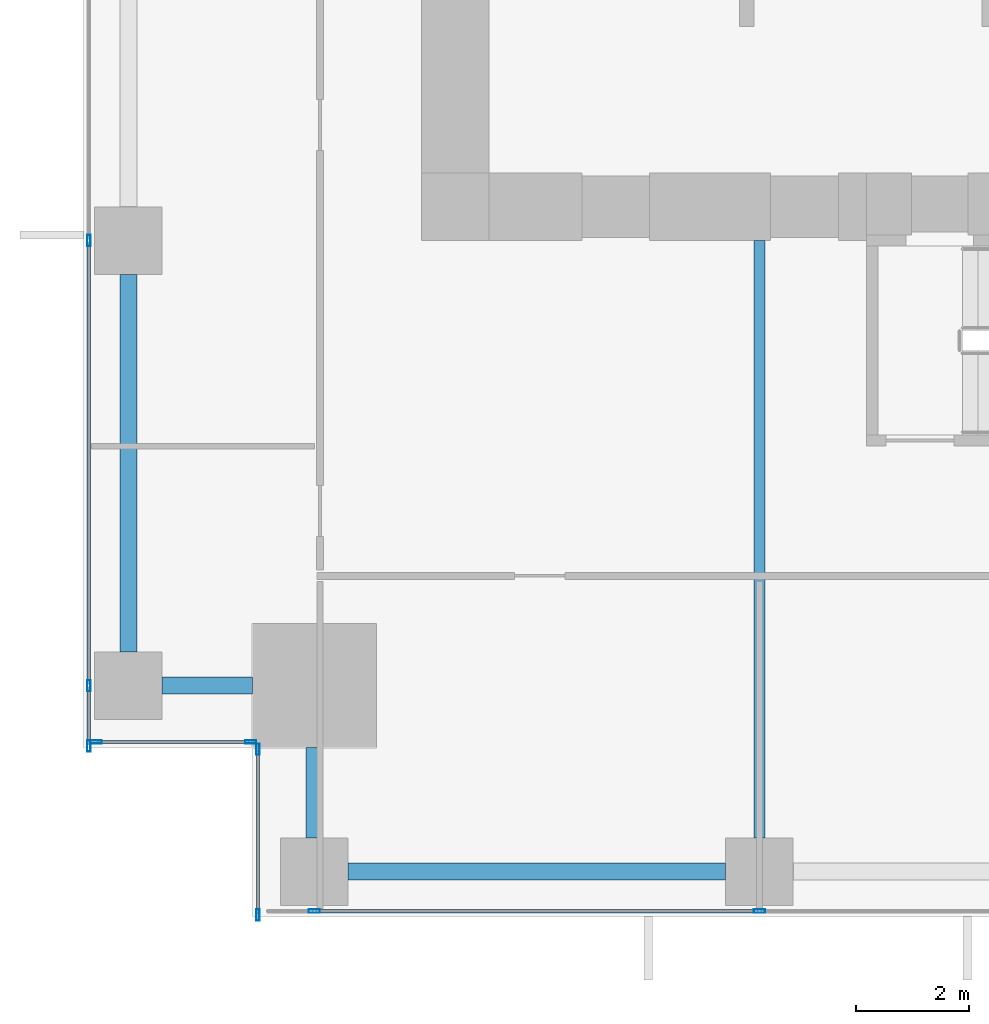
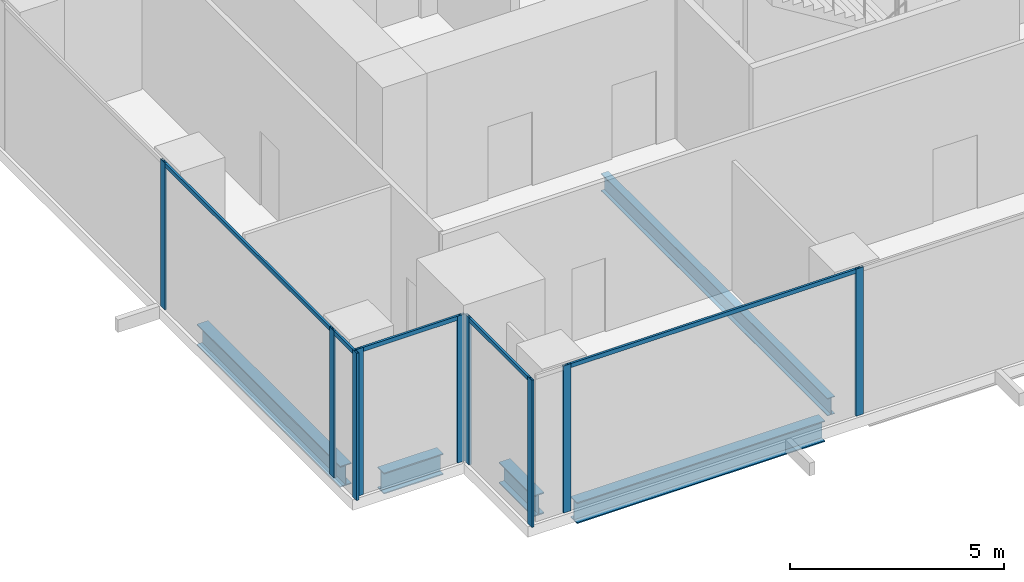
# One storey, part 2 of 32: 14 members, 5 beams, 4 elements without a shape of their own.
"""IFC4 building model written with IfcOpenShell, lengths in metres."""

from ifc_helpers import new_model, si_unit, direction, frame, origin, origin_2d, place, context, subcontext, project, spatial, hollow_rectangle, i_section, extrude, source, transform, mapped, material, material_profile, profile_set, type_object, element, aggregate, save


model = new_model("IFC4")

# Units and contexts
model_context = context("Model", 3, precision=1e-05, world=origin(), true_north=direction((0.0, 1.0)))
body_context = subcontext(model_context, "Body", "Model", "MODEL_VIEW")
ifc_project = project(units=[si_unit("LENGTHUNIT", "METRE"), si_unit("AREAUNIT", "SQUARE_METRE"), si_unit("VOLUMEUNIT", "CUBIC_METRE"), si_unit("PLANEANGLEUNIT", "RADIAN"), si_unit("MASSUNIT", "GRAM", prefix="KILO")], contexts=[model_context])

# Site, building, storey
site_placement = place(None, origin())
site = spatial("IfcSite", under=ifc_project, at=site_placement, CompositionType="ELEMENT")
building_placement = place(site_placement, origin())
building = spatial("IfcBuilding", under=site, at=building_placement, Name="Khomas Fold Tower", CompositionType="ELEMENT")
storey_placement = place(building_placement, frame((0.0, 0.0, 37.5)))
storey = spatial("IfcBuildingStorey", under=building, at=storey_placement, Name="L07", CompositionType="ELEMENT", Elevation=37.5)

# Beams
ifc_material_1 = material(Name="Steel S355", Category="steel")
ifc_material_profile_1 = material_profile(ifc_material_1, i_section(OverallWidth=0.199951171875, OverallDepth=0.5, WebThickness=0.01025390625, FlangeThickness=0.01611328125, at=origin_2d()), Name="IPE 500")
ifc_profile_set_1 = profile_set([ifc_material_profile_1], Name="Steel S355")
beam_type_1 = type_object("IfcBeamType", Name="IPE 500 beam JB5", PredefinedType="BEAM", material=ifc_profile_set_1)
shared_shape_1 = source(origin(), body_context, "Body", "SweptSolid", [
    extrude(i_section(OverallWidth=0.199951171875, OverallDepth=0.5, WebThickness=0.01025390625, FlangeThickness=0.01611328125, at=origin_2d()), origin(), (0.0, 0.0, 1.0), 10.60009765625),
])
beam_placement = place(storey_placement, frame((12.0, 1.39990234375, -0.550048828125), z_axis=(0.0, 1.0, 0.0), x_axis=(-1.0, 0.0, 0.0)))
element("IfcBeam", 1, at=beam_placement, inside=storey, type_object=beam_type_1, Name="JB5", PredefinedType="BEAM", context=body_context, shape_type="MappedRepresentation", body=[
    mapped(shared_shape_1, transform((0.0, 0.0, 0.0))),
])
ifc_material_2 = material(Name="Steel S355", Category="steel")
ifc_material_profile_2 = material_profile(ifc_material_2, i_section(OverallWidth=0.300048828125, OverallDepth=0.60009765625, WebThickness=0.015380859375, FlangeThickness=0.030029296875, at=origin_2d()), Name="HE 600 B")
ifc_profile_set_2 = profile_set([ifc_material_profile_2], Name="Steel S355")
beam_type_2 = type_object("IfcBeamType", Name="HE 600 B spandrel SB1", PredefinedType="SPANDREL", material=ifc_profile_set_2)
shared_shape_2 = source(origin(), body_context, "Body", "SweptSolid", [
    extrude(i_section(OverallWidth=0.300048828125, OverallDepth=0.60009765625, WebThickness=0.015380859375, FlangeThickness=0.030029296875, at=origin_2d()), origin(), (0.0, 0.0, 1.0), 6.699951171875),
])
for number, where, z_axis, x_axis, name in (
    (2, (4.699951171875, 0.800048828125, -0.60009765625), (1.0, 0.0, 0.0), (0.0, 1.0, 0.0), "SB1"),
    (3, (0.800048828125, 4.699951171875, -0.60009765625), (0.0, 1.0, 0.0), (-1.0, 0.0, 0.0), "SB1"),
):
    element("IfcBeam", number, at=place(storey_placement, frame(where, z_axis=z_axis, x_axis=x_axis)), inside=storey, type_object=beam_type_2, Name=name, PredefinedType="SPANDREL", context=body_context, shape_type="MappedRepresentation", body=[
        mapped(shared_shape_2, transform((0.0, 0.0, 0.0))),
    ])
shared_shape_3 = source(origin(), body_context, "Body", "SweptSolid", [
    extrude(i_section(OverallWidth=0.300048828125, OverallDepth=0.60009765625, WebThickness=0.015380859375, FlangeThickness=0.030029296875, at=origin_2d()), origin(), (0.0, 0.0, 1.0), 1.60009765625),
])
for number, where, z_axis, x_axis, name in (
    (4, (1.39990234375, 4.10009765625, -0.60009765625), (1.0, 0.0, 0.0), (0.0, 1.0, 0.0), "SB1"),
    (5, (4.10009765625, 1.39990234375, -0.60009765625), (0.0, 1.0, 0.0), (-1.0, 0.0, 0.0), "SB1"),
):
    element("IfcBeam", number, at=place(storey_placement, frame(where, z_axis=z_axis, x_axis=x_axis)), inside=storey, type_object=beam_type_2, Name=name, PredefinedType="SPANDREL", context=body_context, shape_type="MappedRepresentation", body=[
        mapped(shared_shape_3, transform((0.0, 0.0, 0.0))),
    ])

# Curtain wall, member
ifc_material_3 = material(Name="Aluminium framed double glazing", Category="aluminium")
curtain_wall_type = type_object("IfcCurtainWallType", Name="SK-Unitised clear-glass wall, growing floors CW1", PredefinedType="NOTDEFINED", material=ifc_material_3)
curtain_wall_1_placement = place(storey_placement, origin())
curtain_wall_1 = element("IfcCurtainWall", 6, at=curtain_wall_1_placement, inside=storey, type_object=curtain_wall_type, Name="CW1 run L07 00-0", PredefinedType="NOTDEFINED")
ifc_material_4 = material(Name="Aluminium", Category="aluminium")
ifc_material_profile_3 = material_profile(ifc_material_4, hollow_rectangle(XDim=0.06005859375, YDim=0.1201171875, WallThickness=0.00390625, at=origin_2d()), Name="SK-Unitised clear-glass wall, growing floors transom CW1-T")
ifc_profile_set_3 = profile_set([ifc_material_profile_3], Name="Aluminium")
member_type_1 = type_object("IfcMemberType", Name="SK-Unitised clear-glass wall, growing floors transom CW1-T", PredefinedType="USERDEFINED", material=ifc_profile_set_3)
shared_shape_4 = source(origin(), body_context, "Body", "SweptSolid", [
    extrude(hollow_rectangle(XDim=0.06005859375, YDim=0.1201171875, WallThickness=0.00390625, at=origin_2d()), origin(), (0.0, 0.0, 1.0), 7.840087890625),
])
member_1_placement = place(storey_placement, frame((4.1298828125, 0.10009765625, 4.139892578125), z_axis=(1.0, 0.0, 0.0), x_axis=(0.0, 1.0, 0.0)))
member_1 = element("IfcMember", 7, at=member_1_placement, type_object=member_type_1, Name="CW1 transom 2", ObjectType="TRANSOM", PredefinedType="USERDEFINED", context=body_context, shape_type="MappedRepresentation", body=[
    mapped(shared_shape_4, transform((0.0, 0.0, 0.0))),
])

# Curtain wall, members
curtain_wall_2_placement = place(storey_placement, origin())
curtain_wall_2 = element("IfcCurtainWall", 8, at=curtain_wall_2_placement, inside=storey, type_object=curtain_wall_type, Name="CW1 run L07 09-0", PredefinedType="NOTDEFINED")
member_2_placement = place(storey_placement, frame((0.10009765625, 11.969970703125, 4.139892578125), z_axis=(0.0, -1.0, 0.0), x_axis=(1.0, 0.0, 0.0)))
member_2 = element("IfcMember", 9, at=member_2_placement, type_object=member_type_1, Name="CW1 transom 7", ObjectType="TRANSOM", PredefinedType="USERDEFINED", context=body_context, shape_type="MappedRepresentation", body=[
    mapped(shared_shape_4, transform((0.0, 0.0, 0.0))),
])
shared_shape_5 = source(origin(), body_context, "Body", "SweptSolid", [
    extrude(hollow_rectangle(XDim=0.06005859375, YDim=0.1201171875, WallThickness=0.00390625, at=origin_2d()), origin(), (0.0, 0.0, 1.0), 1.010009765625),
])
member_3_placement = place(storey_placement, frame((0.10009765625, 4.070068359375, 4.139892578125), z_axis=(0.0, -1.0, 0.0), x_axis=(1.0, 0.0, 0.0)))
member_3 = element("IfcMember", 10, at=member_3_placement, type_object=member_type_1, Name="CW1 transom 8", ObjectType="TRANSOM", PredefinedType="USERDEFINED", context=body_context, shape_type="MappedRepresentation", body=[
    mapped(shared_shape_5, transform((0.0, 0.0, 0.0))),
])

# Curtain wall, member
curtain_wall_3_placement = place(storey_placement, origin())
curtain_wall_3 = element("IfcCurtainWall", 11, at=curtain_wall_3_placement, inside=storey, type_object=curtain_wall_type, Name="CW1 corner return L07 10", PredefinedType="NOTDEFINED")
shared_shape_6 = source(origin(), body_context, "Body", "SweptSolid", [
    extrude(hollow_rectangle(XDim=0.06005859375, YDim=0.1201171875, WallThickness=0.00390625, at=origin_2d()), origin(), (0.0, 0.0, 1.0), 2.679931640625),
])
member_4_placement = place(storey_placement, frame((0.260009765625, 3.10009765625, 4.139892578125), z_axis=(1.0, 0.0, 0.0), x_axis=(0.0, 1.0, 0.0)))
member_4 = element("IfcMember", 12, at=member_4_placement, type_object=member_type_1, Name="CW1 transom 1", ObjectType="TRANSOM", PredefinedType="USERDEFINED", context=body_context, shape_type="MappedRepresentation", body=[
    mapped(shared_shape_6, transform((0.0, 0.0, 0.0))),
])

curtain_wall_4_placement = place(storey_placement, origin())
curtain_wall_4 = element("IfcCurtainWall", 13, at=curtain_wall_4_placement, inside=storey, type_object=curtain_wall_type, Name="CW1 corner return L07 11", PredefinedType="NOTDEFINED")
shared_shape_7 = source(origin(), body_context, "Body", "SweptSolid", [
    extrude(hollow_rectangle(XDim=0.06005859375, YDim=0.1201171875, WallThickness=0.00390625, at=origin_2d()), origin(), (0.0, 0.0, 1.0), 2.8798828125),
])
member_5_placement = place(storey_placement, frame((3.10009765625, 2.93994140625, 4.139892578125), z_axis=(0.0, -1.0, 0.0), x_axis=(1.0, 0.0, 0.0)))
member_5 = element("IfcMember", 14, at=member_5_placement, type_object=member_type_1, Name="CW1 transom 1", ObjectType="TRANSOM", PredefinedType="USERDEFINED", context=body_context, shape_type="MappedRepresentation", body=[
    mapped(shared_shape_7, transform((0.0, 0.0, 0.0))),
])

# Member
ifc_material_5 = material(Name="Aluminium", Category="aluminium")
ifc_material_profile_4 = material_profile(ifc_material_5, hollow_rectangle(XDim=0.06005859375, YDim=0.199951171875, WallThickness=0.00390625, at=origin_2d()), Name="SK-Unitised clear-glass wall, growing floors mullion CW1-M")
ifc_profile_set_4 = profile_set([ifc_material_profile_4], Name="Aluminium")
member_type_2 = type_object("IfcMemberType", Name="SK-Unitised clear-glass wall, growing floors mullion CW1-M", PredefinedType="MULLION", material=ifc_profile_set_4)
shared_shape_8 = source(origin(), body_context, "Body", "SweptSolid", [
    extrude(hollow_rectangle(XDim=0.06005859375, YDim=0.199951171875, WallThickness=0.00390625, at=origin_2d()), origin(), (0.0, 0.0, 1.0), 4.199951171875),
])
member_6_placement = place(storey_placement, frame((4.10009765625, 0.10009765625, 0.0), z_axis=(0.0, 0.0, 1.0), x_axis=(0.0, 1.0, 0.0)))
member_6 = element("IfcMember", 15, at=member_6_placement, type_object=member_type_2, Name="CW1 mullion 2", PredefinedType="MULLION", context=body_context, shape_type="MappedRepresentation", body=[
    mapped(shared_shape_8, transform((0.0, 0.0, 0.0))),
])

member_7_placement = place(storey_placement, frame((12.0, 0.10009765625, 0.0), z_axis=(0.0, 0.0, 1.0), x_axis=(0.0, 1.0, 0.0)))
member_7 = element("IfcMember", 16, at=member_7_placement, type_object=member_type_2, Name="CW1 mullion 3", PredefinedType="MULLION", context=body_context, shape_type="MappedRepresentation", body=[
    mapped(shared_shape_8, transform((0.0, 0.0, 0.0))),
])

aggregate(curtain_wall_1, [member_6, member_7, member_1])

member_8_placement = place(storey_placement, frame((0.10009765625, 12.0, 0.0), z_axis=(0.0, 0.0, 1.0), x_axis=(1.0, 0.0, 0.0)))
member_8 = element("IfcMember", 17, at=member_8_placement, type_object=member_type_2, Name="CW1 mullion 7", PredefinedType="MULLION", context=body_context, shape_type="MappedRepresentation", body=[
    mapped(shared_shape_8, transform((0.0, 0.0, 0.0))),
])

member_9_placement = place(storey_placement, frame((0.10009765625, 4.10009765625, 0.0), z_axis=(0.0, 0.0, 1.0), x_axis=(1.0, 0.0, 0.0)))
member_9 = element("IfcMember", 18, at=member_9_placement, type_object=member_type_2, Name="CW1 mullion 8", PredefinedType="MULLION", context=body_context, shape_type="MappedRepresentation", body=[
    mapped(shared_shape_8, transform((0.0, 0.0, 0.0))),
])

member_10_placement = place(storey_placement, frame((0.10009765625, 3.030029296875, 0.0), z_axis=(0.0, 0.0, 1.0), x_axis=(1.0, 0.0, 0.0)))
member_10 = element("IfcMember", 19, at=member_10_placement, type_object=member_type_2, Name="CW1 mullion 9", PredefinedType="MULLION", context=body_context, shape_type="MappedRepresentation", body=[
    mapped(shared_shape_8, transform((0.0, 0.0, 0.0))),
])

aggregate(curtain_wall_2, [member_8, member_9, member_10, member_2, member_3])

member_11_placement = place(storey_placement, frame((0.22998046875, 3.10009765625, 0.0), z_axis=(0.0, 0.0, 1.0), x_axis=(0.0, 1.0, 0.0)))
member_11 = element("IfcMember", 20, at=member_11_placement, type_object=member_type_2, Name="CW1 mullion 1", PredefinedType="MULLION", context=body_context, shape_type="MappedRepresentation", body=[
    mapped(shared_shape_8, transform((0.0, 0.0, 0.0))),
])

member_12_placement = place(storey_placement, frame((2.969970703125, 3.10009765625, 0.0), z_axis=(0.0, 0.0, 1.0), x_axis=(0.0, 1.0, 0.0)))
member_12 = element("IfcMember", 21, at=member_12_placement, type_object=member_type_2, Name="CW1 mullion 2", PredefinedType="MULLION", context=body_context, shape_type="MappedRepresentation", body=[
    mapped(shared_shape_8, transform((0.0, 0.0, 0.0))),
])

aggregate(curtain_wall_3, [member_11, member_12, member_4])

member_13_placement = place(storey_placement, frame((3.10009765625, 2.969970703125, 0.0), z_axis=(0.0, 0.0, 1.0), x_axis=(1.0, 0.0, 0.0)))
member_13 = element("IfcMember", 22, at=member_13_placement, type_object=member_type_2, Name="CW1 mullion 1", PredefinedType="MULLION", context=body_context, shape_type="MappedRepresentation", body=[
    mapped(shared_shape_8, transform((0.0, 0.0, 0.0))),
])

member_14_placement = place(storey_placement, frame((3.10009765625, 0.030029296875, 0.0), z_axis=(0.0, 0.0, 1.0), x_axis=(1.0, 0.0, 0.0)))
member_14 = element("IfcMember", 23, at=member_14_placement, type_object=member_type_2, Name="CW1 mullion 2", PredefinedType="MULLION", context=body_context, shape_type="MappedRepresentation", body=[
    mapped(shared_shape_8, transform((0.0, 0.0, 0.0))),
])

aggregate(curtain_wall_4, [member_13, member_14, member_5])

save(model, "model.ifc")
